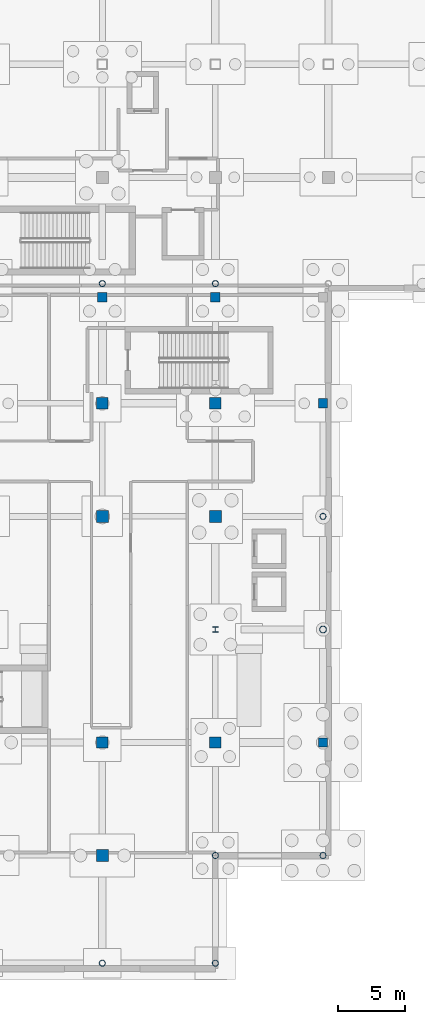
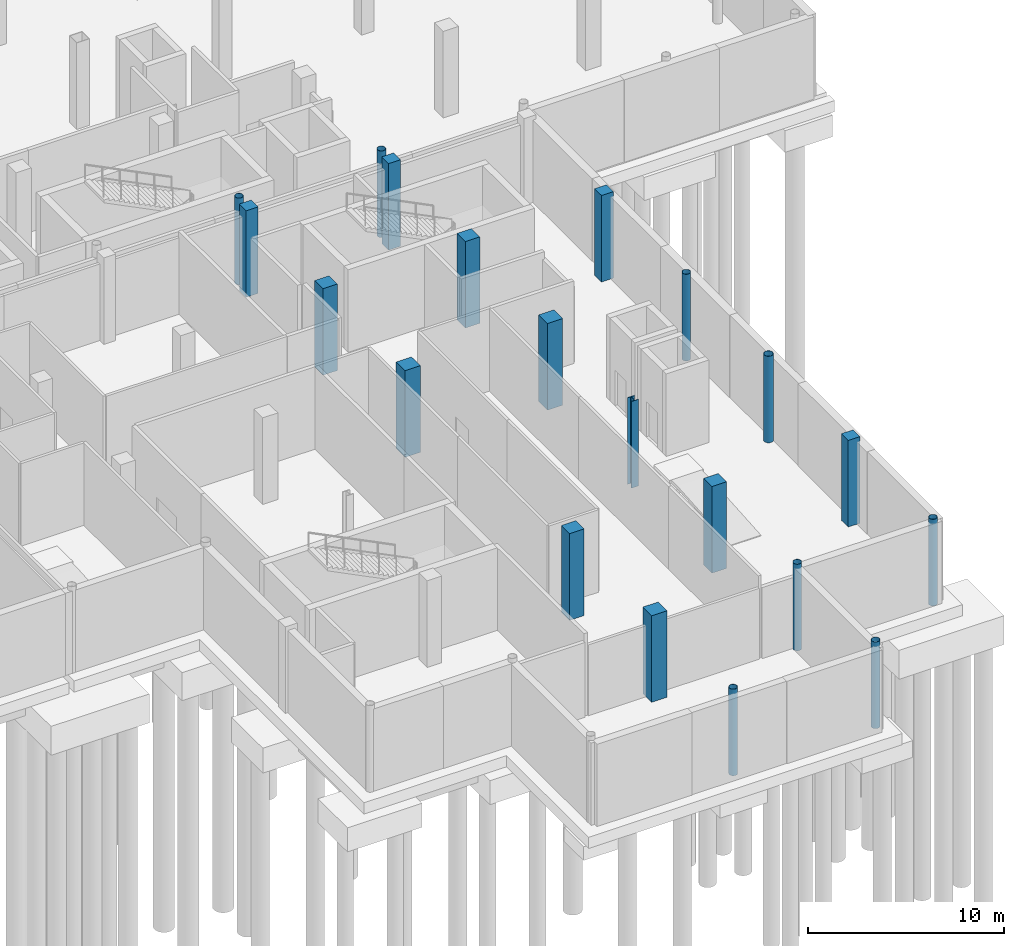
# One storey, part 18 of 49: 20 columns.
"""IFC4 building model written with IfcOpenShell, lengths in metres."""

from ifc_helpers import new_model, si_unit, direction, frame, origin, origin_2d, place, context, subcontext, project, spatial, rectangle, hollow_circle, i_section, extrude, material, material_profile, profile_set, type_object, element, save


model = new_model("IFC4")

# Units and contexts
model_context = context("Model", 3, precision=1e-05, world=origin(), true_north=direction((0.0, 1.0)))
body_context = subcontext(model_context, "Body", "Model", "MODEL_VIEW")
ifc_project = project(units=[si_unit("LENGTHUNIT", "METRE"), si_unit("AREAUNIT", "SQUARE_METRE"), si_unit("VOLUMEUNIT", "CUBIC_METRE"), si_unit("PLANEANGLEUNIT", "RADIAN"), si_unit("MASSUNIT", "GRAM", prefix="KILO"), si_unit("THERMODYNAMICTEMPERATUREUNIT", "KELVIN")], contexts=[model_context])

# Site, building, storey
site_placement = place(None, origin())
site = spatial("IfcSite", under=ifc_project, at=site_placement, CompositionType="ELEMENT")
building_placement = place(site_placement, origin())
building = spatial("IfcBuilding", under=site, at=building_placement, Name="Lustrewick Department Store", CompositionType="ELEMENT")
storey_placement = place(building_placement, frame((0.0, 0.0, -5.39990234375)))
storey = spatial("IfcBuildingStorey", under=building, at=storey_placement, Name="B1", CompositionType="ELEMENT", Elevation=-5.39990234375)

# Columns
ifc_material_1 = material(Name="Structural steel Q355C", Category="steel")
ifc_material_profile_1 = material_profile(ifc_material_1, i_section(OverallWidth=0.406982421875, OverallDepth=0.427978515625, WebThickness=0.02001953125, FlangeThickness=0.034912109375, FilletRadius=0.02197265625, at=origin_2d()), Name="HW 428x407x20x35")
ifc_profile_set_1 = profile_set([ifc_material_profile_1], Name="Structural steel Q355C")
column_type_1 = type_object("IfcColumnType", Name="C09", PredefinedType="COLUMN", material=ifc_profile_set_1)
column_1_placement = place(storey_placement, frame((142.800048828125, 25.199951171875, 0.0), z_axis=(0.0, 0.0, 1.0), x_axis=(1.0, 0.0, 0.0)))
element("IfcColumn", 1, at=column_1_placement, inside=storey, type_object=column_type_1, Name="B1 V3 Column C09", PredefinedType="COLUMN", context=body_context, shape_type="SweptSolid", body=[
    extrude(i_section(OverallWidth=0.406982421875, OverallDepth=0.427978515625, WebThickness=0.02001953125, FlangeThickness=0.034912109375, FilletRadius=0.02197265625, at=origin_2d()), origin(), (0.0, 0.0, 1.0), 5.39990234375),
])
ifc_material_2 = material(Name="Concrete C50", Category="concrete")
ifc_material_profile_2 = material_profile(ifc_material_2, rectangle(XDim=0.89990234375, YDim=0.89990234375, at=origin_2d()), Name="RC 900x900")
ifc_profile_set_2 = profile_set([ifc_material_profile_2], Name="Concrete C50")
column_type_2 = type_object("IfcColumnType", Name="C17", PredefinedType="COLUMN", material=ifc_profile_set_2)
for number, where, z_axis, x_axis, name in (
    (2, (134.39990234375, 8.39990234375, 0.0), (0.0, 0.0, 1.0), (1.0, 0.0, 0.0), "B1 V3 Column C17"),
    (3, (134.39990234375, 33.60009765625, 0.0), (0.0, 0.0, 1.0), (1.0, 0.0, 0.0), "B1 V3 Column C17"),
    (4, (142.800048828125, 33.60009765625, 0.0), (0.0, 0.0, 1.0), (1.0, 0.0, 0.0), "B1 V3 Column C17"),
):
    element("IfcColumn", number, at=place(storey_placement, frame(where, z_axis=z_axis, x_axis=x_axis)), inside=storey, type_object=column_type_2, Name=name, PredefinedType="COLUMN", context=body_context, shape_type="SweptSolid", body=[
        extrude(rectangle(XDim=0.89990234375, YDim=0.89990234375, at=origin_2d()), origin(), (0.0, 0.0, 1.0), 5.39990234375),
    ])
ifc_material_profile_3 = material_profile(ifc_material_2, rectangle(XDim=0.85009765625, YDim=0.85009765625, at=origin_2d()), Name="RC 850x850")
ifc_profile_set_3 = profile_set([ifc_material_profile_3], Name="Concrete C50")
column_type_3 = type_object("IfcColumnType", Name="C18", PredefinedType="COLUMN", material=ifc_profile_set_3)
for number, where, z_axis, x_axis, name in (
    (5, (134.39990234375, 16.800048828125, 0.0), (0.0, 0.0, 1.0), (1.0, 0.0, 0.0), "B1 V3 Column C18"),
    (6, (134.39990234375, 42.0, 0.0), (0.0, 0.0, 1.0), (1.0, 0.0, 0.0), "B1 V3 Column C18"),
    (7, (142.800048828125, 16.800048828125, 0.0), (0.0, 0.0, 1.0), (1.0, 0.0, 0.0), "B1 V3 Column C18"),
    (8, (142.800048828125, 42.0, 0.0), (0.0, 0.0, 1.0), (1.0, 0.0, 0.0), "B1 V3 Column C18"),
):
    element("IfcColumn", number, at=place(storey_placement, frame(where, z_axis=z_axis, x_axis=x_axis)), inside=storey, type_object=column_type_3, Name=name, PredefinedType="COLUMN", context=body_context, shape_type="SweptSolid", body=[
        extrude(rectangle(XDim=0.85009765625, YDim=0.85009765625, at=origin_2d()), origin(), (0.0, 0.0, 1.0), 5.39990234375),
    ])
ifc_material_profile_4 = material_profile(ifc_material_1, hollow_circle(Radius=0.25390625, WallThickness=0.01611328125, at=origin_2d()), Name="CHS 508x16")
ifc_profile_set_4 = profile_set([ifc_material_profile_4], Name="Structural steel Q355C")
column_type_4 = type_object("IfcColumnType", Name="CE01", PredefinedType="COLUMN", material=ifc_profile_set_4)
column_2_placement = place(storey_placement, frame((150.800048828125, 25.199951171875, 0.0), z_axis=(0.0, 0.0, 1.0), x_axis=(1.0, 0.0, 0.0)))
element("IfcColumn", 9, at=column_2_placement, inside=storey, type_object=column_type_4, Name="B1 V3 Column CE01", PredefinedType="COLUMN", context=body_context, shape_type="SweptSolid", body=[
    extrude(hollow_circle(Radius=0.25390625, WallThickness=0.01611328125, at=origin_2d()), origin(), (0.0, 0.0, 1.0), 5.39990234375),
])
ifc_material_profile_5 = material_profile(ifc_material_1, hollow_circle(Radius=0.228515625, WallThickness=0.01611328125, at=origin_2d()), Name="CHS 457x16")
ifc_profile_set_5 = profile_set([ifc_material_profile_5], Name="Structural steel Q355C")
column_type_5 = type_object("IfcColumnType", Name="CE02", PredefinedType="COLUMN", material=ifc_profile_set_5)
for number, where, z_axis, x_axis, name in (
    (10, (134.39990234375, 0.39990234375, 0.0), (0.0, 0.0, 1.0), (1.0, 0.0, 0.0), "B1 V3 Column CE02"),
    (11, (142.800048828125, 0.39990234375, 0.0), (0.0, 0.0, 1.0), (1.0, 0.0, 0.0), "B1 V3 Column CE02"),
    (12, (142.800048828125, 8.39990234375, 0.0), (0.0, 0.0, 1.0), (1.0, 0.0, 0.0), "B1 V3 Column CE02"),
    (13, (150.800048828125, 8.39990234375, 0.0), (0.0, 0.0, 1.0), (1.0, 0.0, 0.0), "B1 V3 Column CE02"),
    (14, (150.800048828125, 33.60009765625, 0.0), (0.0, 0.0, 1.0), (1.0, 0.0, 0.0), "B1 V3 Column CE02"),
    (15, (134.39990234375, 50.89990234375, 0.0), (0.0, 0.0, 1.0), (1.0, 0.0, 0.0), "B1 V4 Column CE02"),
    (16, (142.800048828125, 50.89990234375, 0.0), (0.0, 0.0, 1.0), (1.0, 0.0, 0.0), "B1 V4 Column CE02"),
):
    element("IfcColumn", number, at=place(storey_placement, frame(where, z_axis=z_axis, x_axis=x_axis)), inside=storey, type_object=column_type_5, Name=name, PredefinedType="COLUMN", context=body_context, shape_type="SweptSolid", body=[
        extrude(hollow_circle(Radius=0.228515625, WallThickness=0.01611328125, at=origin_2d()), origin(), (0.0, 0.0, 1.0), 5.39990234375),
    ])
ifc_material_3 = material(Name="Concrete C40", Category="concrete")
ifc_material_profile_6 = material_profile(ifc_material_3, rectangle(XDim=0.699951171875, YDim=0.699951171875, at=origin_2d()), Name="RC 700x700")
ifc_profile_set_6 = profile_set([ifc_material_profile_6], Name="Concrete C40")
column_type_6 = type_object("IfcColumnType", Name="CE06", PredefinedType="COLUMN", material=ifc_profile_set_6)
for number, where, z_axis, x_axis, name in (
    (17, (134.39990234375, 49.89990234375, 0.0), (0.0, 0.0, 1.0), (1.0, 0.0, 0.0), "B1 V3 Column CE06"),
    (18, (142.800048828125, 49.89990234375, 0.0), (0.0, 0.0, 1.0), (1.0, 0.0, 0.0), "B1 V3 Column CE06"),
    (19, (150.800048828125, 16.800048828125, 0.0), (0.0, 0.0, 1.0), (1.0, 0.0, 0.0), "B1 V3 Column CE06"),
    (20, (150.800048828125, 42.0, 0.0), (0.0, 0.0, 1.0), (1.0, 0.0, 0.0), "B1 V3 Column CE06"),
):
    element("IfcColumn", number, at=place(storey_placement, frame(where, z_axis=z_axis, x_axis=x_axis)), inside=storey, type_object=column_type_6, Name=name, PredefinedType="COLUMN", context=body_context, shape_type="SweptSolid", body=[
        extrude(rectangle(XDim=0.699951171875, YDim=0.699951171875, at=origin_2d()), origin(), (0.0, 0.0, 1.0), 5.39990234375),
    ])

save(model, "model.ifc")
